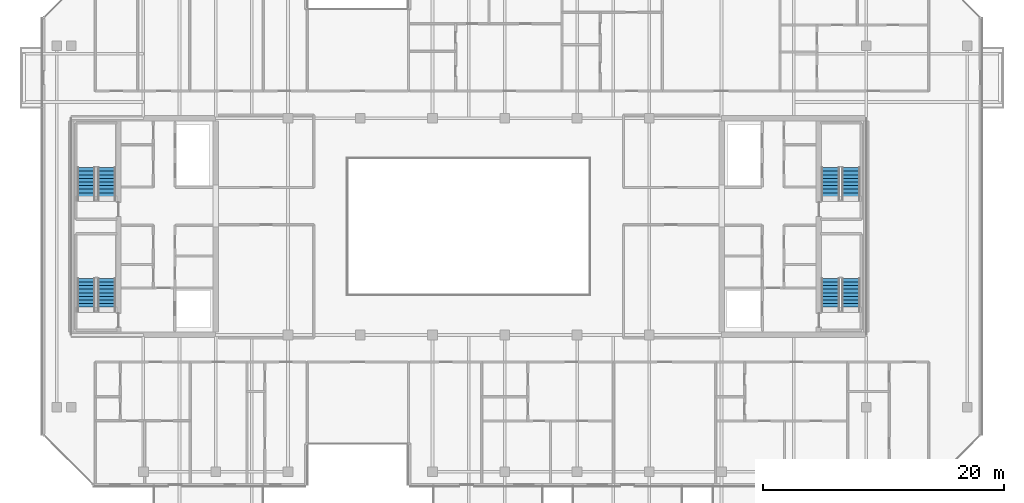
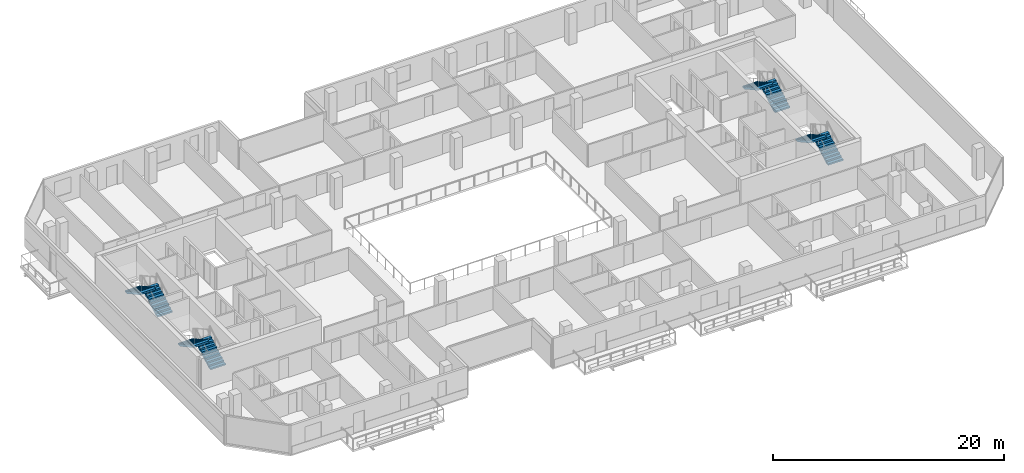
# One storey, part 24 of 29: 8 stair flights, 4 elements without a shape of their own.
"""IFC4 building model written with IfcOpenShell, lengths in metres."""

from ifc_helpers import new_model, si_unit, direction, frame, origin, place, context, subcontext, project, spatial, polyline, outline, extrude, material, type_object, element, aggregate, save


model = new_model("IFC4")

# Units and contexts
model_context = context("Model", 3, precision=1e-05, world=origin(), true_north=direction((0.0, 1.0)))
body_context = subcontext(model_context, "Body", "Model", "MODEL_VIEW")
ifc_project = project(units=[si_unit("LENGTHUNIT", "METRE"), si_unit("AREAUNIT", "SQUARE_METRE"), si_unit("VOLUMEUNIT", "CUBIC_METRE"), si_unit("PLANEANGLEUNIT", "RADIAN"), si_unit("MASSUNIT", "GRAM", prefix="KILO")], contexts=[model_context])

# Site, building, storey
site_placement = place(None, origin())
site = spatial("IfcSite", under=ifc_project, at=site_placement, CompositionType="ELEMENT")
building_placement = place(site_placement, origin())
building = spatial("IfcBuilding", under=site, at=building_placement, Name="Tanjung Sevakor Pilgrim Tower", CompositionType="ELEMENT")
storey_placement = place(building_placement, frame((0.0, 0.0, 188.429931640625)))
storey = spatial("IfcBuildingStorey", under=building, at=storey_placement, Name="L52", CompositionType="ELEMENT", Elevation=188.429931640625)

# Stair, stair flights
ifc_material_1 = material(Name="Concrete C40/50", Category="concrete")
stair_type = type_object("IfcStairType", Name="STAIR-ST-CR150", PredefinedType="HALF_TURN_STAIR", material=ifc_material_1)
stair_1_placement = place(storey_placement, origin())
stair_1 = element("IfcStair", 1, at=stair_1_placement, inside=storey, type_object=stair_type, Name="L52 West Core Exit Stair 1", PredefinedType="HALF_TURN_STAIR")
ifc_material_2 = material(Name="Concrete C40/50", Category="concrete")
stair_flight_type = type_object("IfcStairFlightType", Name="FLIGHT-ST-CR150", PredefinedType="STRAIGHT", material=ifc_material_2)
stair_flight_1_placement = place(storey_placement, frame((26.949951171875, 26.60009765625, 0.0), z_axis=(0.0, 0.0, 1.0), x_axis=(0.0, 1.0, 0.0)))
stair_flight_1 = element("IfcStairFlight", 2, at=stair_flight_1_placement, type_object=stair_flight_type, Name="TS-W1 flight 1", NumberOfRisers=10, NumberOfTreads=9, PredefinedType="STRAIGHT", RiserHeight=0.165, TreadLength=0.3, context=body_context, shape_type="SweptSolid", body=[
    extrude(outline(polyline([(0.0, 0.0), (0.0, 0.1650390625), (0.300048828125, 0.1650390625), (0.300048828125, 0.330078125), (0.60009765625, 0.330078125), (0.60009765625, 0.4951171875), (0.89990234375, 0.4951171875), (0.89990234375, 0.659912109375), (1.199951171875, 0.659912109375), (1.199951171875, 0.824951171875), (1.5, 0.824951171875), (1.5, 0.989990234375), (1.800048828125, 0.989990234375), (1.800048828125, 1.155029296875), (2.10009765625, 1.155029296875), (2.10009765625, 1.320068359375), (2.39990234375, 1.320068359375), (2.39990234375, 1.485107421875), (2.699951171875, 1.485107421875), (2.699951171875, 1.64990234375), (2.699951171875, 1.302490234375), (0.331787109375, 0.0), (0.0, 0.0)])), frame((0.0, 0.75, 0.0), z_axis=(0.0, -1.0, 0.0), x_axis=(1.0, 0.0, 0.0)), (0.0, 0.0, 1.0), 1.5),
])
stair_flight_2_placement = place(storey_placement, frame((25.25, 29.300048828125, 1.650146484375), z_axis=(0.0, 0.0, 1.0), x_axis=(0.0, -1.0, 0.0)))
stair_flight_2 = element("IfcStairFlight", 3, at=stair_flight_2_placement, type_object=stair_flight_type, Name="TS-W1 flight 2", NumberOfRisers=10, NumberOfTreads=9, PredefinedType="STRAIGHT", RiserHeight=0.165, TreadLength=0.3, context=body_context, shape_type="SweptSolid", body=[
    extrude(outline(polyline([(0.0, 0.0), (0.0, 0.1650390625), (0.300048828125, 0.1650390625), (0.300048828125, 0.330078125), (0.60009765625, 0.330078125), (0.60009765625, 0.4951171875), (0.89990234375, 0.4951171875), (0.89990234375, 0.659912109375), (1.199951171875, 0.659912109375), (1.199951171875, 0.824951171875), (1.5, 0.824951171875), (1.5, 0.989990234375), (1.800048828125, 0.989990234375), (1.800048828125, 1.155029296875), (2.10009765625, 1.155029296875), (2.10009765625, 1.320068359375), (2.39990234375, 1.320068359375), (2.39990234375, 1.485107421875), (2.699951171875, 1.485107421875), (2.699951171875, 1.64990234375), (2.699951171875, 1.302490234375), (0.331787109375, 0.0), (0.0, 0.0)])), frame((0.0, 0.75, 0.0), z_axis=(0.0, -1.0, 0.0), x_axis=(1.0, 0.0, 0.0)), (0.0, 0.0, 1.0), 1.5),
])
aggregate(stair_1, [stair_flight_1, stair_flight_2])

stair_2_placement = place(storey_placement, origin())
stair_2 = element("IfcStair", 4, at=stair_2_placement, inside=storey, type_object=stair_type, Name="L52 West Core Exit Stair 2", PredefinedType="HALF_TURN_STAIR")
stair_flight_3_placement = place(storey_placement, frame((26.949951171875, 35.800048828125, 0.0), z_axis=(0.0, 0.0, 1.0), x_axis=(0.0, 1.0, 0.0)))
stair_flight_3 = element("IfcStairFlight", 5, at=stair_flight_3_placement, type_object=stair_flight_type, Name="TS-W2 flight 1", NumberOfRisers=10, NumberOfTreads=9, PredefinedType="STRAIGHT", RiserHeight=0.165, TreadLength=0.3, context=body_context, shape_type="SweptSolid", body=[
    extrude(outline(polyline([(0.0, 0.0), (0.0, 0.1650390625), (0.300048828125, 0.1650390625), (0.300048828125, 0.330078125), (0.60009765625, 0.330078125), (0.60009765625, 0.4951171875), (0.89990234375, 0.4951171875), (0.89990234375, 0.659912109375), (1.199951171875, 0.659912109375), (1.199951171875, 0.824951171875), (1.5, 0.824951171875), (1.5, 0.989990234375), (1.800048828125, 0.989990234375), (1.800048828125, 1.155029296875), (2.10009765625, 1.155029296875), (2.10009765625, 1.320068359375), (2.39990234375, 1.320068359375), (2.39990234375, 1.485107421875), (2.699951171875, 1.485107421875), (2.699951171875, 1.64990234375), (2.699951171875, 1.302490234375), (0.331787109375, 0.0), (0.0, 0.0)])), frame((0.0, 0.75, 0.0), z_axis=(0.0, -1.0, 0.0), x_axis=(1.0, 0.0, 0.0)), (0.0, 0.0, 1.0), 1.5),
])
stair_flight_4_placement = place(storey_placement, frame((25.25, 38.5, 1.650146484375), z_axis=(0.0, 0.0, 1.0), x_axis=(0.0, -1.0, 0.0)))
stair_flight_4 = element("IfcStairFlight", 6, at=stair_flight_4_placement, type_object=stair_flight_type, Name="TS-W2 flight 2", NumberOfRisers=10, NumberOfTreads=9, PredefinedType="STRAIGHT", RiserHeight=0.165, TreadLength=0.3, context=body_context, shape_type="SweptSolid", body=[
    extrude(outline(polyline([(0.0, 0.0), (0.0, 0.1650390625), (0.300048828125, 0.1650390625), (0.300048828125, 0.330078125), (0.60009765625, 0.330078125), (0.60009765625, 0.4951171875), (0.89990234375, 0.4951171875), (0.89990234375, 0.659912109375), (1.199951171875, 0.659912109375), (1.199951171875, 0.824951171875), (1.5, 0.824951171875), (1.5, 0.989990234375), (1.800048828125, 0.989990234375), (1.800048828125, 1.155029296875), (2.10009765625, 1.155029296875), (2.10009765625, 1.320068359375), (2.39990234375, 1.320068359375), (2.39990234375, 1.485107421875), (2.699951171875, 1.485107421875), (2.699951171875, 1.64990234375), (2.699951171875, 1.302490234375), (0.331787109375, 0.0), (0.0, 0.0)])), frame((0.0, 0.75, 0.0), z_axis=(0.0, -1.0, 0.0), x_axis=(1.0, 0.0, 0.0)), (0.0, 0.0, 1.0), 1.5),
])
aggregate(stair_2, [stair_flight_3, stair_flight_4])

stair_3_placement = place(storey_placement, origin())
stair_3 = element("IfcStair", 7, at=stair_3_placement, inside=storey, type_object=stair_type, Name="L52 East Core Exit Stair 1", PredefinedType="HALF_TURN_STAIR")
stair_flight_5_placement = place(storey_placement, frame((88.75, 26.60009765625, 0.0), z_axis=(0.0, 0.0, 1.0), x_axis=(0.0, 1.0, 0.0)))
stair_flight_5 = element("IfcStairFlight", 8, at=stair_flight_5_placement, type_object=stair_flight_type, Name="TS-E1 flight 1", NumberOfRisers=10, NumberOfTreads=9, PredefinedType="STRAIGHT", RiserHeight=0.165, TreadLength=0.3, context=body_context, shape_type="SweptSolid", body=[
    extrude(outline(polyline([(0.0, 0.0), (0.0, 0.1650390625), (0.300048828125, 0.1650390625), (0.300048828125, 0.330078125), (0.60009765625, 0.330078125), (0.60009765625, 0.4951171875), (0.89990234375, 0.4951171875), (0.89990234375, 0.659912109375), (1.199951171875, 0.659912109375), (1.199951171875, 0.824951171875), (1.5, 0.824951171875), (1.5, 0.989990234375), (1.800048828125, 0.989990234375), (1.800048828125, 1.155029296875), (2.10009765625, 1.155029296875), (2.10009765625, 1.320068359375), (2.39990234375, 1.320068359375), (2.39990234375, 1.485107421875), (2.699951171875, 1.485107421875), (2.699951171875, 1.64990234375), (2.699951171875, 1.302490234375), (0.331787109375, 0.0), (0.0, 0.0)])), frame((0.0, 0.75, 0.0), z_axis=(0.0, -1.0, 0.0), x_axis=(1.0, 0.0, 0.0)), (0.0, 0.0, 1.0), 1.5),
])
stair_flight_6_placement = place(storey_placement, frame((87.050048828125, 29.300048828125, 1.650146484375), z_axis=(0.0, 0.0, 1.0), x_axis=(0.0, -1.0, 0.0)))
stair_flight_6 = element("IfcStairFlight", 9, at=stair_flight_6_placement, type_object=stair_flight_type, Name="TS-E1 flight 2", NumberOfRisers=10, NumberOfTreads=9, PredefinedType="STRAIGHT", RiserHeight=0.165, TreadLength=0.3, context=body_context, shape_type="SweptSolid", body=[
    extrude(outline(polyline([(0.0, 0.0), (0.0, 0.1650390625), (0.300048828125, 0.1650390625), (0.300048828125, 0.330078125), (0.60009765625, 0.330078125), (0.60009765625, 0.4951171875), (0.89990234375, 0.4951171875), (0.89990234375, 0.659912109375), (1.199951171875, 0.659912109375), (1.199951171875, 0.824951171875), (1.5, 0.824951171875), (1.5, 0.989990234375), (1.800048828125, 0.989990234375), (1.800048828125, 1.155029296875), (2.10009765625, 1.155029296875), (2.10009765625, 1.320068359375), (2.39990234375, 1.320068359375), (2.39990234375, 1.485107421875), (2.699951171875, 1.485107421875), (2.699951171875, 1.64990234375), (2.699951171875, 1.302490234375), (0.331787109375, 0.0), (0.0, 0.0)])), frame((0.0, 0.75, 0.0), z_axis=(0.0, -1.0, 0.0), x_axis=(1.0, 0.0, 0.0)), (0.0, 0.0, 1.0), 1.5),
])
aggregate(stair_3, [stair_flight_5, stair_flight_6])

stair_4_placement = place(storey_placement, origin())
stair_4 = element("IfcStair", 10, at=stair_4_placement, inside=storey, type_object=stair_type, Name="L52 East Core Exit Stair 2", PredefinedType="HALF_TURN_STAIR")
stair_flight_7_placement = place(storey_placement, frame((88.75, 35.800048828125, 0.0), z_axis=(0.0, 0.0, 1.0), x_axis=(0.0, 1.0, 0.0)))
stair_flight_7 = element("IfcStairFlight", 11, at=stair_flight_7_placement, type_object=stair_flight_type, Name="TS-E2 flight 1", NumberOfRisers=10, NumberOfTreads=9, PredefinedType="STRAIGHT", RiserHeight=0.165, TreadLength=0.3, context=body_context, shape_type="SweptSolid", body=[
    extrude(outline(polyline([(0.0, 0.0), (0.0, 0.1650390625), (0.300048828125, 0.1650390625), (0.300048828125, 0.330078125), (0.60009765625, 0.330078125), (0.60009765625, 0.4951171875), (0.89990234375, 0.4951171875), (0.89990234375, 0.659912109375), (1.199951171875, 0.659912109375), (1.199951171875, 0.824951171875), (1.5, 0.824951171875), (1.5, 0.989990234375), (1.800048828125, 0.989990234375), (1.800048828125, 1.155029296875), (2.10009765625, 1.155029296875), (2.10009765625, 1.320068359375), (2.39990234375, 1.320068359375), (2.39990234375, 1.485107421875), (2.699951171875, 1.485107421875), (2.699951171875, 1.64990234375), (2.699951171875, 1.302490234375), (0.331787109375, 0.0), (0.0, 0.0)])), frame((0.0, 0.75, 0.0), z_axis=(0.0, -1.0, 0.0), x_axis=(1.0, 0.0, 0.0)), (0.0, 0.0, 1.0), 1.5),
])
stair_flight_8_placement = place(storey_placement, frame((87.050048828125, 38.5, 1.650146484375), z_axis=(0.0, 0.0, 1.0), x_axis=(0.0, -1.0, 0.0)))
stair_flight_8 = element("IfcStairFlight", 12, at=stair_flight_8_placement, type_object=stair_flight_type, Name="TS-E2 flight 2", NumberOfRisers=10, NumberOfTreads=9, PredefinedType="STRAIGHT", RiserHeight=0.165, TreadLength=0.3, context=body_context, shape_type="SweptSolid", body=[
    extrude(outline(polyline([(0.0, 0.0), (0.0, 0.1650390625), (0.300048828125, 0.1650390625), (0.300048828125, 0.330078125), (0.60009765625, 0.330078125), (0.60009765625, 0.4951171875), (0.89990234375, 0.4951171875), (0.89990234375, 0.659912109375), (1.199951171875, 0.659912109375), (1.199951171875, 0.824951171875), (1.5, 0.824951171875), (1.5, 0.989990234375), (1.800048828125, 0.989990234375), (1.800048828125, 1.155029296875), (2.10009765625, 1.155029296875), (2.10009765625, 1.320068359375), (2.39990234375, 1.320068359375), (2.39990234375, 1.485107421875), (2.699951171875, 1.485107421875), (2.699951171875, 1.64990234375), (2.699951171875, 1.302490234375), (0.331787109375, 0.0), (0.0, 0.0)])), frame((0.0, 0.75, 0.0), z_axis=(0.0, -1.0, 0.0), x_axis=(1.0, 0.0, 0.0)), (0.0, 0.0, 1.0), 1.5),
])
aggregate(stair_4, [stair_flight_7, stair_flight_8])

save(model, "model.ifc")
